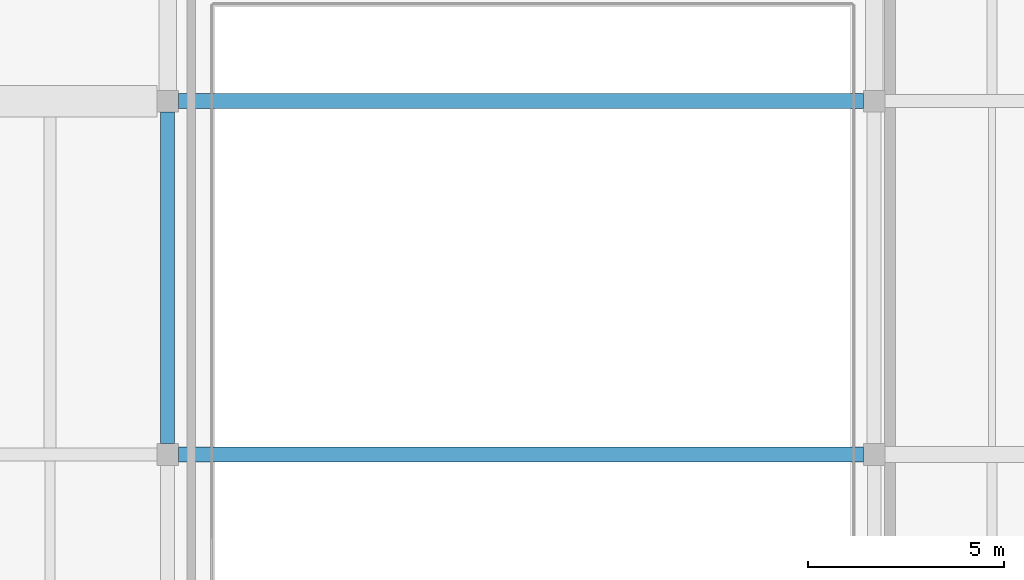
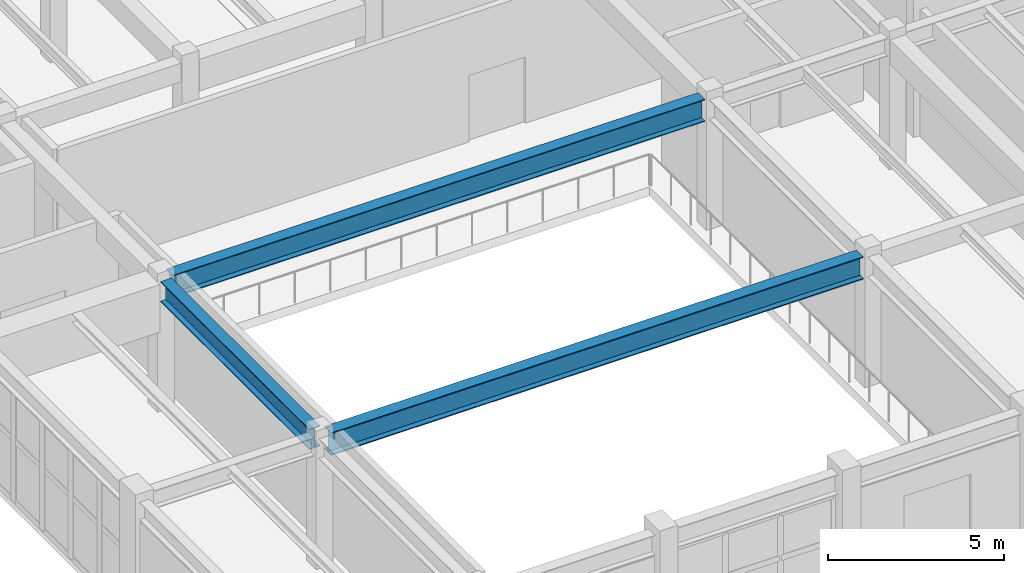
# One storey, part 11 of 96: 3 beams.
"""IFC4 building model written with IfcOpenShell, lengths in metres."""

from ifc_helpers import new_model, si_unit, direction, frame, origin, origin_2d, place, context, subcontext, project, spatial, i_section, extrude, material, material_profile, profile_set, type_object, element, save


model = new_model("IFC4")

# Units and contexts
model_context = context("Model", 3, precision=1e-05, world=origin(), true_north=direction((0.0, 1.0)))
body_context = subcontext(model_context, "Body", "Model", "MODEL_VIEW")
ifc_project = project(units=[si_unit("LENGTHUNIT", "METRE"), si_unit("AREAUNIT", "SQUARE_METRE"), si_unit("VOLUMEUNIT", "CUBIC_METRE"), si_unit("PLANEANGLEUNIT", "RADIAN"), si_unit("MASSUNIT", "GRAM", prefix="KILO")], contexts=[model_context])

# Site, building, storey
site_placement = place(None, origin())
site = spatial("IfcSite", under=ifc_project, at=site_placement, CompositionType="ELEMENT")
building_placement = place(site_placement, origin())
building = spatial("IfcBuilding", under=site, at=building_placement, Name="Vaelkrest Opera House", CompositionType="ELEMENT")
storey_placement = place(building_placement, frame((0.0, 0.0, 5.39990234375)))
storey = spatial("IfcBuildingStorey", under=building, at=storey_placement, Name="L01", CompositionType="ELEMENT", Elevation=5.39990234375)

# Beams
ifc_material = material(Name="Steel A992 Gr50", Category="steel")
ifc_material_profile_1 = material_profile(ifc_material, i_section(OverallWidth=0.381103515625, OverallDepth=0.77294921875, WebThickness=0.0166015625, FlangeThickness=0.027099609375, at=origin_2d()), Name="W30X173")
ifc_profile_set_1 = profile_set([ifc_material_profile_1], Name="Steel A992 Gr50")
beam_type_1 = type_object("IfcBeamType", Name="B11", PredefinedType="BEAM", material=ifc_profile_set_1)
beam_1_placement = place(storey_placement, frame((-69.324951171875, 1.199951171875, 4.113525390625), z_axis=(1.0, 0.0, 0.0), x_axis=(0.0, 1.0, 0.0)))
element("IfcBeam", 1, at=beam_1_placement, inside=storey, type_object=beam_type_1, Name="Beam BM-V3-L01-1521", PredefinedType="BEAM", context=body_context, shape_type="SweptSolid", body=[
    extrude(i_section(OverallWidth=0.381103515625, OverallDepth=0.77294921875, WebThickness=0.0166015625, FlangeThickness=0.027099609375, at=origin_2d()), origin(), (0.0, 0.0, 1.0), 17.449951171875),
])
ifc_material_profile_2 = material_profile(ifc_material, i_section(OverallWidth=0.35791015625, OverallDepth=0.7060546875, WebThickness=0.018310546875, FlangeThickness=0.0302734375, at=origin_2d()), Name="W27X178")
ifc_profile_set_2 = profile_set([ifc_material_profile_2], Name="Steel A992 Gr50")
beam_type_2 = type_object("IfcBeamType", Name="B14", PredefinedType="BEAM", material=ifc_profile_set_2)
beam_2_placement = place(storey_placement, frame((-69.60009765625, -7.52490234375, 4.147216796875), z_axis=(0.0, 1.0, 0.0), x_axis=(-1.0, 0.0, 0.0)))
element("IfcBeam", 2, at=beam_2_placement, inside=storey, type_object=beam_type_2, Name="Beam BM-V3-L01-1558", PredefinedType="BEAM", context=body_context, shape_type="SweptSolid", body=[
    extrude(i_section(OverallWidth=0.35791015625, OverallDepth=0.7060546875, WebThickness=0.018310546875, FlangeThickness=0.0302734375, at=origin_2d()), origin(), (0.0, 0.0, 1.0), 8.449951171875),
])
ifc_material_profile_3 = material_profile(ifc_material, i_section(OverallWidth=0.384033203125, OverallDepth=0.785888671875, WebThickness=0.019775390625, FlangeThickness=0.033447265625, at=origin_2d()), Name="W30X211")
ifc_profile_set_3 = profile_set([ifc_material_profile_3], Name="Steel A992 Gr50")
beam_type_3 = type_object("IfcBeamType", Name="B16", PredefinedType="BEAM", material=ifc_profile_set_3)
beam_3_placement = place(storey_placement, frame((-69.324951171875, -7.800048828125, 4.107177734375), z_axis=(1.0, 0.0, 0.0), x_axis=(0.0, 1.0, 0.0)))
element("IfcBeam", 3, at=beam_3_placement, inside=storey, type_object=beam_type_3, Name="Beam BM-V3-L01-1516", PredefinedType="BEAM", context=body_context, shape_type="SweptSolid", body=[
    extrude(i_section(OverallWidth=0.384033203125, OverallDepth=0.785888671875, WebThickness=0.019775390625, FlangeThickness=0.033447265625, at=origin_2d()), origin(), (0.0, 0.0, 1.0), 17.449951171875),
])

save(model, "model.ifc")
